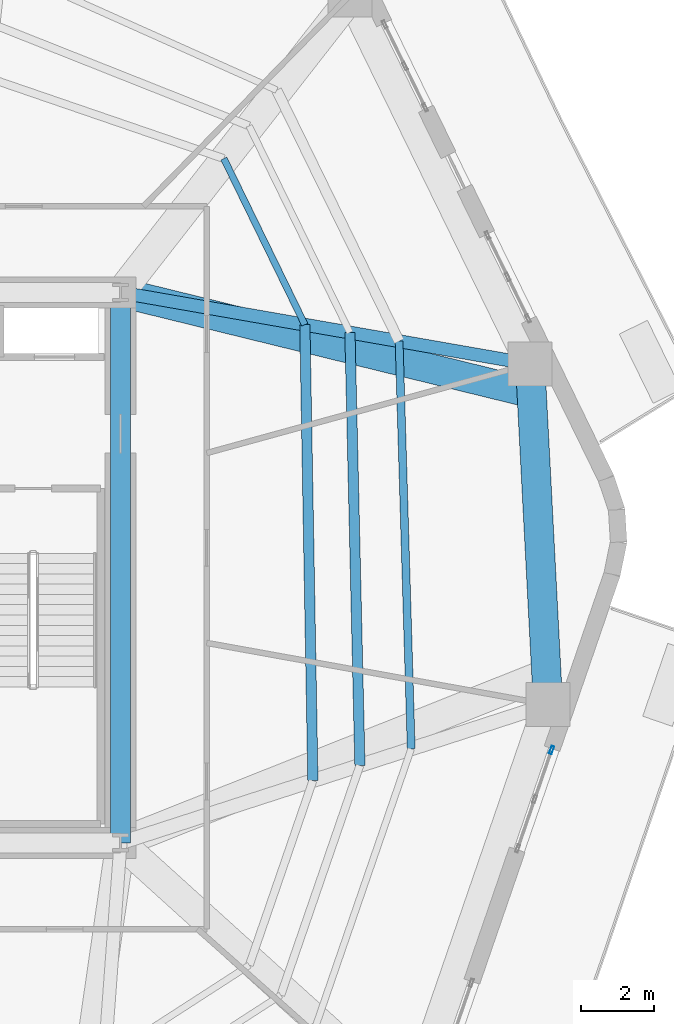
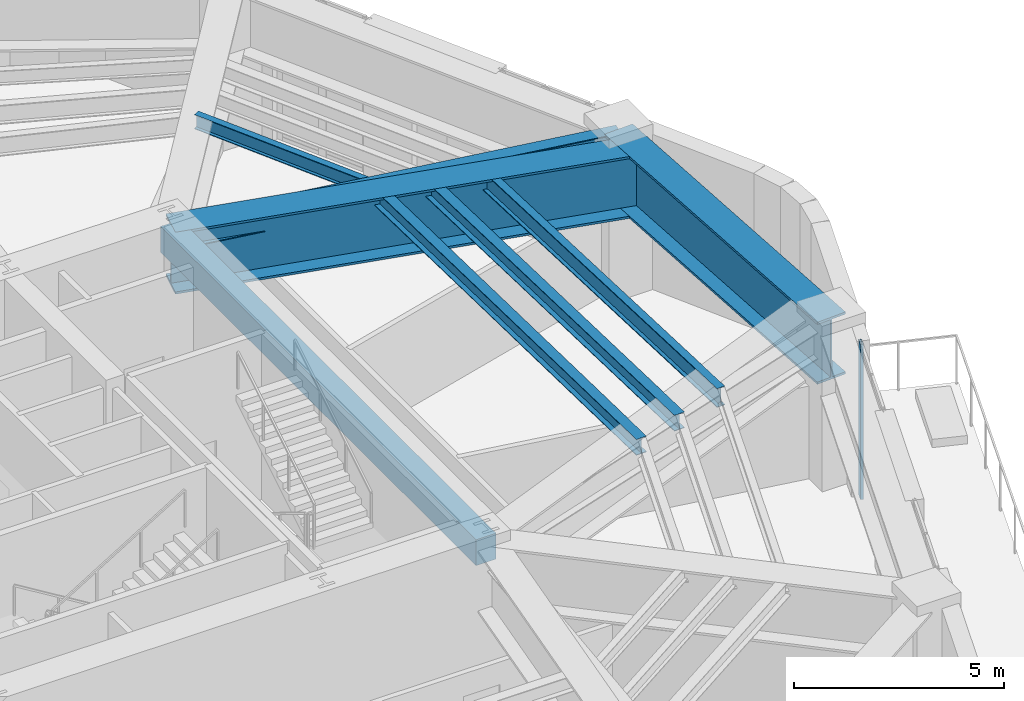
# One storey, part 9 of 22: 8 beams, 1 member, 1 element without a shape of its own.
"""IFC4 building model written with IfcOpenShell, lengths in metres."""

from ifc_helpers import new_model, si_unit, direction, frame, origin, origin_2d, place, context, subcontext, project, spatial, rectangle, hollow_rectangle, i_section, extrude, material, layer, layer_set, material_profile, profile_set, type_object, element, aggregate, save


model = new_model("IFC4")

# Units and contexts
model_context = context("Model", 3, precision=1e-05, world=origin(), true_north=direction((0.0, 1.0)))
body_context = subcontext(model_context, "Body", "Model", "MODEL_VIEW")
ifc_project = project(units=[si_unit("LENGTHUNIT", "METRE"), si_unit("AREAUNIT", "SQUARE_METRE"), si_unit("VOLUMEUNIT", "CUBIC_METRE"), si_unit("PLANEANGLEUNIT", "RADIAN"), si_unit("MASSUNIT", "GRAM", prefix="KILO")], contexts=[model_context])

# Site, building, storey
site_placement = place(None, origin())
site = spatial("IfcSite", under=ifc_project, at=site_placement, CompositionType="ELEMENT")
building_placement = place(site_placement, origin())
building = spatial("IfcBuilding", under=site, at=building_placement, Name="Kilnhurst Terrace Hotel", CompositionType="ELEMENT")
storey_placement = place(building_placement, frame((0.0, 0.0, 139.5)))
storey = spatial("IfcBuildingStorey", under=building, at=storey_placement, Name="L34", CompositionType="ELEMENT", Elevation=139.5)

# Beams
ifc_material_1 = material(Name="Concrete C50/60", Category="concrete")
ifc_material_profile_1 = material_profile(ifc_material_1, rectangle(XDim=0.550048828125, YDim=0.75, at=origin_2d()), Name="RC550X750")
ifc_profile_set_1 = profile_set([ifc_material_profile_1], Name="Concrete C50/60")
beam_type_1 = type_object("IfcBeamType", Name="BM-SPN-550X750", PredefinedType="SPANDREL", material=ifc_profile_set_1)
beam_1_placement = place(storey_placement, frame((9.0, -7.5, 4.125), z_axis=(0.0, 1.0, 0.0), x_axis=(-1.0, 0.0, 0.0)))
element("IfcBeam", 1, at=beam_1_placement, inside=storey, type_object=beam_type_1, Name="L34 Core Tie Beam CC-SE to CC-NE", PredefinedType="SPANDREL", context=body_context, shape_type="SweptSolid", body=[
    extrude(rectangle(XDim=0.550048828125, YDim=0.75, at=origin_2d()), origin(), (0.0, 0.0, 1.0), 15.0),
])
ifc_material_2 = material(Name="Steel ASTM A992 Grade 50", Category="steel")
ifc_material_profile_2 = material_profile(ifc_material_2, i_section(OverallWidth=0.354736328125, OverallDepth=0.695556640625, WebThickness=0.015380859375, FlangeThickness=0.025146484375, at=origin_2d()), Name="W27X146")
ifc_profile_set_2 = profile_set([ifc_material_profile_2], Name="Steel ASTM A992 Grade 50")
beam_type_2 = type_object("IfcBeamType", Name="BM-STL-W27X146", PredefinedType="BEAM", material=ifc_profile_set_2)
beam_2_placement = place(storey_placement, frame((9.0, 7.5, 4.152099609375), z_axis=(0.985072137567, -0.172142045384, 0.0), x_axis=(0.172142045384, 0.985072137567, 0.0)))
element("IfcBeam", 2, at=beam_2_placement, inside=storey, type_object=beam_type_2, Name="L34 Radial Floor Beam 5", PredefinedType="BEAM", context=body_context, shape_type="SweptSolid", body=[
    extrude(i_section(OverallWidth=0.354736328125, OverallDepth=0.695556640625, WebThickness=0.015380859375, FlangeThickness=0.025146484375, at=origin_2d()), origin(), (0.0, 0.0, 1.0), 11.333251953125),
])
ifc_material_profile_3 = material_profile(ifc_material_2, i_section(OverallWidth=0.180908203125, OverallDepth=0.417236328125, WebThickness=0.010986328125, FlangeThickness=0.018310546875, at=origin_2d()), Name="W16X57")
ifc_profile_set_3 = profile_set([ifc_material_profile_3], Name="Steel ASTM A992 Grade 50")
beam_type_3 = type_object("IfcBeamType", Name="JST-STL-W16X57", PredefinedType="JOIST", material=ifc_profile_set_3)
beam_3_placement = place(storey_placement, frame((14.023681640625, 6.6220703125, 4.291015625), z_axis=(-0.438389251087, 0.898785216017, 0.0), x_axis=(-0.898785216017, -0.438389251087, 0.0)))
element("IfcBeam", 3, at=beam_3_placement, inside=storey, type_object=beam_type_3, Name="L34 Secondary Floor Steel Joist IN.5", PredefinedType="JOIST", context=body_context, shape_type="SweptSolid", body=[
    extrude(i_section(OverallWidth=0.180908203125, OverallDepth=0.417236328125, WebThickness=0.010986328125, FlangeThickness=0.018310546875, at=origin_2d()), origin(), (0.0, 0.0, 1.0), 5.03662109375),
])
ifc_material_profile_4 = material_profile(ifc_material_2, i_section(OverallWidth=0.279296875, OverallDepth=0.462890625, WebThickness=0.0107421875, FlangeThickness=0.017333984375, at=origin_2d()), Name="W18X76")
ifc_profile_set_4 = profile_set([ifc_material_profile_4], Name="Steel ASTM A992 Grade 50")
beam_type_4 = type_object("IfcBeamType", Name="JST-STL-W18X76", PredefinedType="JOIST", material=ifc_profile_set_4)
beam_4_placement = place(storey_placement, frame((14.242431640625, -5.803955078125, 4.26806640625), z_axis=(-0.017601453796, 0.999845082412, 0.0), x_axis=(-0.999845082412, -0.017601453796, 0.0)))
element("IfcBeam", 4, at=beam_4_placement, inside=storey, type_object=beam_type_4, Name="L34 Secondary Floor Steel Joist IN.4", PredefinedType="JOIST", context=body_context, shape_type="SweptSolid", body=[
    extrude(i_section(OverallWidth=0.279296875, OverallDepth=0.462890625, WebThickness=0.0107421875, FlangeThickness=0.017333984375, at=origin_2d()), origin(), (0.0, 0.0, 1.0), 12.427978515625),
])
beam_5_placement = place(storey_placement, frame((15.52392578125, -5.389404296875, 4.26806640625), z_axis=(-0.023069190107, 0.999733870822, 0.0), x_axis=(-0.999733870822, -0.023069190107, 0.0)))
element("IfcBeam", 5, at=beam_5_placement, inside=storey, type_object=beam_type_4, Name="L34 Secondary Floor Steel Joist MID.4", PredefinedType="JOIST", context=body_context, shape_type="SweptSolid", body=[
    extrude(i_section(OverallWidth=0.279296875, OverallDepth=0.462890625, WebThickness=0.0107421875, FlangeThickness=0.017333984375, at=origin_2d()), origin(), (0.0, 0.0, 1.0), 11.800048828125),
])
ifc_material_profile_5 = material_profile(ifc_material_2, i_section(OverallWidth=0.2138671875, OverallDepth=0.549072265625, WebThickness=0.0146484375, FlangeThickness=0.023681640625, at=origin_2d()), Name="W21X93")
ifc_profile_set_5 = profile_set([ifc_material_profile_5], Name="Steel ASTM A992 Grade 50")
beam_type_5 = type_object("IfcBeamType", Name="JST-STL-W21X93", PredefinedType="JOIST", material=ifc_profile_set_5)
beam_6_placement = place(storey_placement, frame((16.922119140625, -4.93701171875, 4.22509765625), z_axis=(-0.029739849895, 0.999557672837, 0.0), x_axis=(-0.999557672837, -0.029739849895, 0.0)))
element("IfcBeam", 6, at=beam_6_placement, inside=storey, type_object=beam_type_5, Name="L34 Secondary Floor Steel Joist OUT.4", PredefinedType="JOIST", context=body_context, shape_type="SweptSolid", body=[
    extrude(i_section(OverallWidth=0.2138671875, OverallDepth=0.549072265625, WebThickness=0.0146484375, FlangeThickness=0.023681640625, at=origin_2d()), origin(), (0.0, 0.0, 1.0), 11.115234375),
])

# Curtain wall, member
ifc_material_3 = material(Name="Anodized Aluminium Alloy 6063-T6 and Low-E Glass", Category="aluminium")
ifc_layer = layer(ifc_material_3, 0.219970703125, Name="Anodized Aluminium Alloy 6063-T6 and Low-E Glass")
ifc_layer_set = layer_set([ifc_layer], Name="Anodized Aluminium Alloy 6063-T6 and Low-E Glass")
curtain_wall_type = type_object("IfcCurtainWallType", Name="CW-SKY-L34", PredefinedType="NOTDEFINED", material=ifc_layer_set)
curtain_wall_placement = place(storey_placement, origin())
curtain_wall = element("IfcCurtainWall", 7, at=curtain_wall_placement, inside=storey, type_object=curtain_wall_type, Name="L34 Curtain Wall CW-L34-F2-2", PredefinedType="NOTDEFINED")
ifc_material_4 = material(Name="Extruded Aluminium Alloy 6063-T6", Category="aluminium")
ifc_material_profile_6 = material_profile(ifc_material_4, hollow_rectangle(XDim=0.074951171875, YDim=0.219970703125, WallThickness=0.00390625, at=origin_2d()), Name="CWM75X220")
ifc_profile_set_6 = profile_set([ifc_material_profile_6], Name="Extruded Aluminium Alloy 6063-T6")
member_type = type_object("IfcMemberType", Name="MEM-CWM75X220", PredefinedType="MULLION", material=ifc_profile_set_6)
member_placement = place(storey_placement, frame((20.747802734375, -4.96826171875, 0.0), z_axis=(0.0, 0.0, 1.0), x_axis=(-0.94551193854, 0.32558742924, 0.0)))
member = element("IfcMember", 8, at=member_placement, type_object=member_type, Name="CWS-3 mullion 3", PredefinedType="MULLION", context=body_context, shape_type="SweptSolid", body=[
    extrude(hollow_rectangle(XDim=0.074951171875, YDim=0.219970703125, WallThickness=0.00390625, at=origin_2d()), origin(), (0.0, 0.0, 1.0), 4.5),
])
aggregate(curtain_wall, [member])

# Beams
ifc_material_5 = material(Name="Steel ASTM A572 Grade 50", Category="steel")
ifc_material_profile_7 = material_profile(ifc_material_5, i_section(OverallWidth=0.800048828125, OverallDepth=1.800048828125, WebThickness=0.0400390625, FlangeThickness=0.06494140625, at=origin_2d()), Name="PG1800X800")
ifc_profile_set_7 = profile_set([ifc_material_profile_7], Name="Steel ASTM A572 Grade 50")
beam_type_6 = type_object("IfcBeamType", Name="TG-STEP-1800", PredefinedType="USERDEFINED", material=ifc_profile_set_7)
beam_7_placement = place(storey_placement, frame((20.64990234375, -3.73095703125, 3.60009765625), z_axis=(-0.052281666706, 0.998632378469, 0.0), x_axis=(-0.998632378469, -0.052281666706, 0.0)))
element("IfcBeam", 9, at=beam_7_placement, inside=storey, type_object=beam_type_6, Name="L34 Zone Step Perimeter Transfer Girder 4", ObjectType="GIRDER", PredefinedType="USERDEFINED", context=body_context, shape_type="SweptSolid", body=[
    extrude(i_section(OverallWidth=0.800048828125, OverallDepth=1.800048828125, WebThickness=0.0400390625, FlangeThickness=0.06494140625, at=origin_2d()), origin(), (0.0, 0.0, 1.0), 9.292724609375),
])
beam_8_placement = place(storey_placement, frame((9.0, 7.5, 3.60009765625), z_axis=(0.971212044892, -0.238216632201, 0.0), x_axis=(0.238216632201, 0.971212044892, 0.0)))
element("IfcBeam", 10, at=beam_8_placement, inside=storey, type_object=beam_type_6, Name="L34 Zone Step Radial Transfer Girder 5", ObjectType="GIRDER", PredefinedType="USERDEFINED", context=body_context, shape_type="SweptSolid", body=[
    extrude(i_section(OverallWidth=0.800048828125, OverallDepth=1.800048828125, WebThickness=0.0400390625, FlangeThickness=0.06494140625, at=origin_2d()), origin(), (0.0, 0.0, 1.0), 11.5380859375),
])

save(model, "model.ifc")
